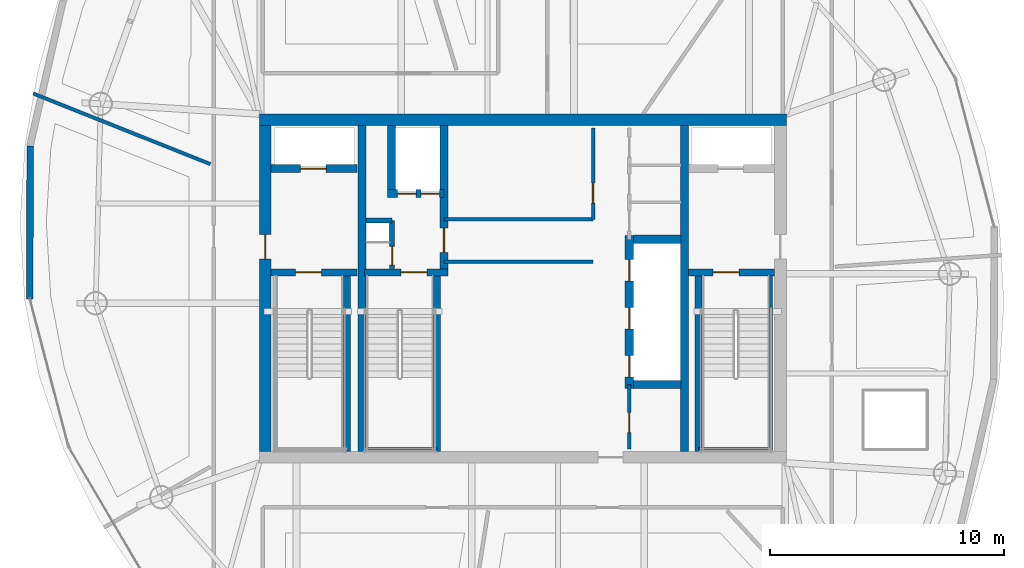
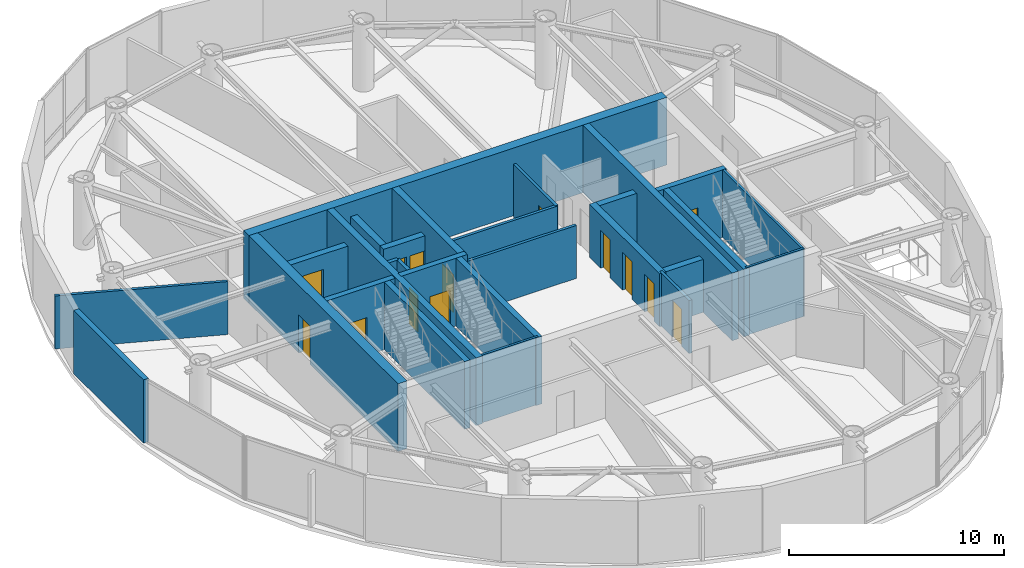
# One storey, part 15 of 20: 28 walls, 14 doors, 14 openings.
"""IFC4 building model written with IfcOpenShell, lengths in metres."""

from ifc_helpers import new_model, si_unit, direction, frame, frame_2d, origin, place, context, subcontext, project, spatial, rectangle, extrude, material, layer, layer_set, type_object, element, fill, save


model = new_model("IFC4")

# Units and contexts
model_context = context("Model", 3, precision=1e-05, world=origin(), true_north=direction((0.0, 1.0)))
body_context = subcontext(model_context, "Body", "Model", "MODEL_VIEW")
ifc_project = project(units=[si_unit("LENGTHUNIT", "METRE"), si_unit("AREAUNIT", "SQUARE_METRE"), si_unit("VOLUMEUNIT", "CUBIC_METRE"), si_unit("PLANEANGLEUNIT", "RADIAN"), si_unit("MASSUNIT", "GRAM", prefix="KILO")], contexts=[model_context])

# Site, building, storey
site_placement = place(None, origin())
site = spatial("IfcSite", under=ifc_project, at=site_placement, CompositionType="ELEMENT")
building_placement = place(site_placement, origin())
building = spatial("IfcBuilding", under=site, at=building_placement, Name="Bramvorn Convention Spire", CompositionType="ELEMENT")
storey_placement = place(building_placement, frame((0.0, 0.0, 303.64990234375)))
storey = spatial("IfcBuildingStorey", under=building, at=storey_placement, Name="L77", CompositionType="ELEMENT", Elevation=303.64990234375)

# Wall
ifc_material_1 = material(Name="Concrete C50/60", Category="concrete")
ifc_layer_1 = layer(ifc_material_1, 0.5)
ifc_layer_set_1 = layer_set([ifc_layer_1], Name="Concrete C50/60 - WL-CORE-500")
wall_type_1 = type_object("IfcWallType", Name="WL-CORE-500", PredefinedType="SHEAR", material=ifc_layer_set_1)
wall_1_placement = place(storey_placement, frame((26.75, 33.199951171875, 0.0), z_axis=(0.0, 0.0, 1.0), x_axis=(1.0, 0.0, 0.0)))
element("IfcWall", 1, at=wall_1_placement, inside=storey, type_object=wall_type_1, Name="L77 North RC core shear wall", PredefinedType="SHEAR", context=body_context, shape_type="SweptSolid", body=[
    extrude(rectangle(XDim=22.5, YDim=0.5, at=frame_2d((11.25, 0.0))), origin(), (0.0, 0.0, 1.0), 3.85009765625),
])

# Wall, opening, door
wall_2_placement = place(storey_placement, frame((27.0, 19.050048828125, 0.0), z_axis=(0.0, 0.0, 1.0), x_axis=(0.0, 1.0, 0.0)))
wall_2 = element("IfcWall", 2, at=wall_2_placement, inside=storey, type_object=wall_type_1, Name="L77 West RC core shear wall", PredefinedType="SHEAR", context=body_context, shape_type="SweptSolid", body=[
    extrude(rectangle(XDim=13.89990234375, YDim=0.5, at=frame_2d((6.949951171875, 0.0))), origin(), (0.0, 0.0, 1.0), 3.85009765625),
])
opening_1_placement = place(wall_2_placement, frame((8.199951171875, 0.0, 0.0)))
opening_1 = element("IfcOpeningElement", 3, at=opening_1_placement, cuts=wall_2, Name="Opening DL-105", PredefinedType="OPENING", context=body_context, shape_type="SweptSolid", body=[
    extrude(rectangle(XDim=1.050048828125, YDim=2.14990234375, at=frame_2d((0.52490234375, 1.074951171875))), frame((0.0, 0.260009765625, 0.0), z_axis=(0.0, -1.0, 0.0), x_axis=(1.0, 0.0, 0.0)), (0.0, 0.0, 1.0), 0.52001953125),
])
ifc_material_2 = material(Name="Smoke-Sealed Fire Lobby Timber-Core Door", Category="wood")
door_type_1 = type_object("IfcDoorType", Name="DR-LOBBY-1050", OperationType="NOTDEFINED", PredefinedType="DOOR", material=ifc_material_2)
door_1_placement = place(opening_1_placement, origin())
door_1 = element("IfcDoor", 4, at=door_1_placement, inside=storey, type_object=door_type_1, Name="L77 West Firefighting Lobby corridor door", OperationType="SINGLE_SWING_RIGHT", OverallHeight=2.14990234375, OverallWidth=1.050048828125, PredefinedType="DOOR", context=body_context, shape_type="SweptSolid", body=[
    extrude(rectangle(XDim=1.050048828125, YDim=2.14990234375, at=frame_2d((0.52490234375, 1.074951171875))), frame((0.0, 0.02490234375, 0.0), z_axis=(0.0, -1.0, 0.0), x_axis=(1.0, 0.0, 0.0)), (0.0, 0.0, 1.0), 0.050048828125),
])
fill(opening_1, door_1)

# Walls
ifc_layer_2 = layer(ifc_material_1, 0.35009765625)
ifc_layer_set_2 = layer_set([ifc_layer_2], Name="Concrete C50/60 - WL-CORE-INT-350")
wall_type_2 = type_object("IfcWallType", Name="WL-CORE-INT-350", PredefinedType="SHEAR", material=ifc_layer_set_2)
for number, where, z_axis, x_axis, name in (
    (5, (31.1298828125, 19.050048828125, 0.0), (0.0, 0.0, 1.0), (0.0, 1.0, 0.0), "L77 West internal core shear web"),
    (6, (44.89990234375, 19.050048828125, 0.0), (0.0, 0.0, 1.0), (0.0, 1.0, 0.0), "L77 East internal core shear web"),
):
    element("IfcWall", number, at=place(storey_placement, frame(where, z_axis=z_axis, x_axis=x_axis)), inside=storey, type_object=wall_type_2, Name=name, PredefinedType="SHEAR", context=body_context, shape_type="SweptSolid", body=[
        extrude(rectangle(XDim=13.89990234375, YDim=0.35009765625, at=frame_2d((6.949951171875, 0.0))), origin(), (0.0, 0.0, 1.0), 3.85009765625),
    ])

# Wall, opening, door
wall_3_placement = place(storey_placement, frame((27.25, 31.1201171875, 0.0), z_axis=(0.0, 0.0, 1.0), x_axis=(1.0, 0.0, 0.0)))
wall_3 = element("IfcWall", 7, at=wall_3_placement, inside=storey, type_object=wall_type_2, Name="L77 FE1 shaft front wall", PredefinedType="SHEAR", context=body_context, shape_type="SweptSolid", body=[
    extrude(rectangle(XDim=3.669921875, YDim=0.35009765625, at=frame_2d((1.8349609375, 0.0))), origin(), (0.0, 0.0, 1.0), 3.01513671875),
])
opening_2_placement = place(wall_3_placement, frame((1.25, 0.0, 0.0)))
opening_2 = element("IfcOpeningElement", 8, at=opening_2_placement, cuts=wall_3, Name="Opening LD-110", PredefinedType="OPENING", context=body_context, shape_type="SweptSolid", body=[
    extrude(rectangle(XDim=1.10009765625, YDim=2.14990234375, at=frame_2d((0.550048828125, 1.074951171875))), frame((0.0, 0.18505859375, 0.0), z_axis=(0.0, -1.0, 0.0), x_axis=(1.0, 0.0, 0.0)), (0.0, 0.0, 1.0), 0.3701171875),
])
ifc_material_3 = material(Name="Firefighting & Service Lift Sliding Landing Door", Category="steel")
door_type_2 = type_object("IfcDoorType", Name="DR-LIFT-LD-1100", OperationType="NOTDEFINED", PredefinedType="DOOR", material=ifc_material_3)
door_2_placement = place(opening_2_placement, origin())
door_2 = element("IfcDoor", 9, at=door_2_placement, inside=storey, type_object=door_type_2, Name="L77 Lift FE1 Sliding Landing Door", OperationType="SLIDING_TO_LEFT", OverallHeight=2.14990234375, OverallWidth=1.10009765625, PredefinedType="DOOR", context=body_context, shape_type="SweptSolid", body=[
    extrude(rectangle(XDim=1.10009765625, YDim=2.14990234375, at=frame_2d((0.550048828125, 1.074951171875))), frame((0.0, 0.02490234375, 0.0), z_axis=(0.0, -1.0, 0.0), x_axis=(1.0, 0.0, 0.0)), (0.0, 0.0, 1.0), 0.050048828125),
])
fill(opening_2, door_2)

wall_4_placement = place(storey_placement, frame((34.639892578125, 26.68994140625, 0.0), z_axis=(0.0, 0.0, 1.0), x_axis=(0.0, 1.0, 0.0)))
wall_4 = element("IfcWall", 10, at=wall_4_placement, inside=storey, type_object=wall_type_2, Name="L77 SV east core shaft wall", PredefinedType="SHEAR", context=body_context, shape_type="SweptSolid", body=[
    extrude(rectangle(XDim=6.260009765625, YDim=0.35009765625, at=frame_2d((3.1298828125, 0.0))), origin(), (0.0, 0.0, 1.0), 3.85009765625),
])
opening_3_placement = place(wall_4_placement, frame((0.85009765625, 0.0, 0.0)))
opening_3 = element("IfcOpeningElement", 11, at=opening_3_placement, cuts=wall_4, Name="Opening DL-105", PredefinedType="OPENING", context=body_context, shape_type="SweptSolid", body=[
    extrude(rectangle(XDim=1.050048828125, YDim=2.14990234375, at=frame_2d((0.52490234375, 1.074951171875))), frame((0.0, 0.18505859375, 0.0), z_axis=(0.0, -1.0, 0.0), x_axis=(1.0, 0.0, 0.0)), (0.0, 0.0, 1.0), 0.3701171875),
])
door_3_placement = place(opening_3_placement, origin())
door_3 = element("IfcDoor", 12, at=door_3_placement, inside=storey, type_object=door_type_1, Name="L77 Core cross-passage door", OperationType="SINGLE_SWING_RIGHT", OverallHeight=2.14990234375, OverallWidth=1.050048828125, PredefinedType="DOOR", context=body_context, shape_type="SweptSolid", body=[
    extrude(rectangle(XDim=1.050048828125, YDim=2.14990234375, at=frame_2d((0.52490234375, 1.074951171875))), frame((0.0, 0.02490234375, 0.0), z_axis=(0.0, -1.0, 0.0), x_axis=(1.0, 0.0, 0.0)), (0.0, 0.0, 1.0), 0.050048828125),
])
fill(opening_3, door_3)

# Wall, openings, doors
wall_5_placement = place(storey_placement, frame((32.22998046875, 30.050048828125, 0.0), z_axis=(0.0, 0.0, 1.0), x_axis=(1.0, 0.0, 0.0)))
wall_5 = element("IfcWall", 13, at=wall_5_placement, inside=storey, type_object=wall_type_2, Name="L77 SV1/SV2 shaft front wall", PredefinedType="SHEAR", context=body_context, shape_type="SweptSolid", body=[
    extrude(rectangle(XDim=2.409912109375, YDim=0.35009765625, at=frame_2d((1.205078125, 0.0))), origin(), (0.0, 0.0, 1.0), 3.01513671875),
])
opening_4_placement = place(wall_5_placement, frame((0.419921875, 0.0, 0.0)))
opening_4 = element("IfcOpeningElement", 14, at=opening_4_placement, cuts=wall_5, Name="Opening LD-080", PredefinedType="OPENING", context=body_context, shape_type="SweptSolid", body=[
    extrude(rectangle(XDim=0.800048828125, YDim=2.14990234375, at=frame_2d((0.39990234375, 1.074951171875))), frame((0.0, 0.18505859375, 0.0), z_axis=(0.0, -1.0, 0.0), x_axis=(1.0, 0.0, 0.0)), (0.0, 0.0, 1.0), 0.3701171875),
])
opening_5_placement = place(wall_5_placement, frame((1.419921875, 0.0, 0.0)))
opening_5 = element("IfcOpeningElement", 15, at=opening_5_placement, cuts=wall_5, Name="Opening LD-080", PredefinedType="OPENING", context=body_context, shape_type="SweptSolid", body=[
    extrude(rectangle(XDim=0.800048828125, YDim=2.14990234375, at=frame_2d((0.39990234375, 1.074951171875))), frame((0.0, 0.18505859375, 0.0), z_axis=(0.0, -1.0, 0.0), x_axis=(1.0, 0.0, 0.0)), (0.0, 0.0, 1.0), 0.3701171875),
])
ifc_material_4 = material(Name="Service Lift Bi-Parting Landing Door", Category="steel")
door_type_3 = type_object("IfcDoorType", Name="DR-LIFT-LD-800", OperationType="NOTDEFINED", PredefinedType="DOOR", material=ifc_material_4)
door_4_placement = place(opening_4_placement, origin())
door_4 = element("IfcDoor", 16, at=door_4_placement, inside=storey, type_object=door_type_3, Name="L77 Lift SV1 Sliding Landing Door", OperationType="SLIDING_TO_LEFT", OverallHeight=2.14990234375, OverallWidth=0.800048828125, PredefinedType="DOOR", context=body_context, shape_type="SweptSolid", body=[
    extrude(rectangle(XDim=0.800048828125, YDim=2.14990234375, at=frame_2d((0.39990234375, 1.074951171875))), frame((0.0, 0.02490234375, 0.0), z_axis=(0.0, -1.0, 0.0), x_axis=(1.0, 0.0, 0.0)), (0.0, 0.0, 1.0), 0.050048828125),
])
fill(opening_4, door_4)
door_5_placement = place(opening_5_placement, origin())
door_5 = element("IfcDoor", 17, at=door_5_placement, inside=storey, type_object=door_type_3, Name="L77 Lift SV2 Sliding Landing Door", OperationType="SLIDING_TO_LEFT", OverallHeight=2.14990234375, OverallWidth=0.800048828125, PredefinedType="DOOR", context=body_context, shape_type="SweptSolid", body=[
    extrude(rectangle(XDim=0.800048828125, YDim=2.14990234375, at=frame_2d((0.39990234375, 1.074951171875))), frame((0.0, 0.02490234375, 0.0), z_axis=(0.0, -1.0, 0.0), x_axis=(1.0, 0.0, 0.0)), (0.0, 0.0, 1.0), 0.050048828125),
])
fill(opening_5, door_5)

# Wall
wall_6_placement = place(storey_placement, frame((32.39990234375, 30.219970703125, 0.0), z_axis=(0.0, 0.0, 1.0), x_axis=(0.0, 1.0, 0.0)))
element("IfcWall", 18, at=wall_6_placement, inside=storey, type_object=wall_type_2, Name="L77 SV1 west hoistway wall", PredefinedType="SHEAR", context=body_context, shape_type="SweptSolid", body=[
    extrude(rectangle(XDim=2.72998046875, YDim=0.35009765625, at=frame_2d((1.364990234375, 0.0))), origin(), (0.0, 0.0, 1.0), 3.01513671875),
])

# Wall, openings, doors
wall_7_placement = place(storey_placement, frame((42.550048828125, 21.72998046875, 0.0), z_axis=(0.0, 0.0, 1.0), x_axis=(0.0, 1.0, 0.0)))
wall_7 = element("IfcWall", 19, at=wall_7_placement, inside=storey, type_object=wall_type_2, Name="L77 High-rise lift bank west wall", PredefinedType="SHEAR", context=body_context, shape_type="SweptSolid", body=[
    extrude(rectangle(XDim=6.5400390625, YDim=0.35009765625, at=frame_2d((3.27001953125, 0.0))), origin(), (0.0, 0.0, 1.0), 3.01513671875),
])
opening_6_placement = place(wall_7_placement, frame((0.5, 0.0, 0.0)))
opening_6 = element("IfcOpeningElement", 20, at=opening_6_placement, cuts=wall_7, Name="Opening LD-090", PredefinedType="OPENING", context=body_context, shape_type="SweptSolid", body=[
    extrude(rectangle(XDim=0.89990234375, YDim=2.14990234375, at=frame_2d((0.449951171875, 1.074951171875))), frame((0.0, 0.18505859375, 0.0), z_axis=(0.0, -1.0, 0.0), x_axis=(1.0, 0.0, 0.0)), (0.0, 0.0, 1.0), 0.3701171875),
])
opening_7_placement = place(wall_7_placement, frame((2.550048828125, 0.0, 0.0)))
opening_7 = element("IfcOpeningElement", 21, at=opening_7_placement, cuts=wall_7, Name="Opening LD-090", PredefinedType="OPENING", context=body_context, shape_type="SweptSolid", body=[
    extrude(rectangle(XDim=0.89990234375, YDim=2.14990234375, at=frame_2d((0.449951171875, 1.074951171875))), frame((0.0, 0.18505859375, 0.0), z_axis=(0.0, -1.0, 0.0), x_axis=(1.0, 0.0, 0.0)), (0.0, 0.0, 1.0), 0.3701171875),
])
opening_8_placement = place(wall_7_placement, frame((4.60009765625, 0.0, 0.0)))
opening_8 = element("IfcOpeningElement", 22, at=opening_8_placement, cuts=wall_7, Name="Opening LD-090", PredefinedType="OPENING", context=body_context, shape_type="SweptSolid", body=[
    extrude(rectangle(XDim=0.89990234375, YDim=2.14990234375, at=frame_2d((0.449951171875, 1.074951171875))), frame((0.0, 0.18505859375, 0.0), z_axis=(0.0, -1.0, 0.0), x_axis=(1.0, 0.0, 0.0)), (0.0, 0.0, 1.0), 0.3701171875),
])
ifc_material_5 = material(Name="Bi-Parting Fire-Rated Lift Landing Door", Category="steel")
door_type_4 = type_object("IfcDoorType", Name="DR-LIFT-LD-900", OperationType="NOTDEFINED", PredefinedType="DOOR", material=ifc_material_5)
door_6_placement = place(opening_6_placement, origin())
door_6 = element("IfcDoor", 23, at=door_6_placement, inside=storey, type_object=door_type_4, Name="L77 Lift PH1 Sliding Landing Door", OperationType="SLIDING_TO_LEFT", OverallHeight=2.14990234375, OverallWidth=0.89990234375, PredefinedType="DOOR", context=body_context, shape_type="SweptSolid", body=[
    extrude(rectangle(XDim=0.89990234375, YDim=2.14990234375, at=frame_2d((0.449951171875, 1.074951171875))), frame((0.0, 0.02490234375, 0.0), z_axis=(0.0, -1.0, 0.0), x_axis=(1.0, 0.0, 0.0)), (0.0, 0.0, 1.0), 0.050048828125),
])
fill(opening_6, door_6)
door_7_placement = place(opening_7_placement, origin())
door_7 = element("IfcDoor", 24, at=door_7_placement, inside=storey, type_object=door_type_4, Name="L77 Lift PH2 Sliding Landing Door", OperationType="SLIDING_TO_LEFT", OverallHeight=2.14990234375, OverallWidth=0.89990234375, PredefinedType="DOOR", context=body_context, shape_type="SweptSolid", body=[
    extrude(rectangle(XDim=0.89990234375, YDim=2.14990234375, at=frame_2d((0.449951171875, 1.074951171875))), frame((0.0, 0.02490234375, 0.0), z_axis=(0.0, -1.0, 0.0), x_axis=(1.0, 0.0, 0.0)), (0.0, 0.0, 1.0), 0.050048828125),
])
fill(opening_7, door_7)
door_8_placement = place(opening_8_placement, origin())
door_8 = element("IfcDoor", 25, at=door_8_placement, inside=storey, type_object=door_type_4, Name="L77 Lift PH3 Sliding Landing Door", OperationType="SLIDING_TO_LEFT", OverallHeight=2.14990234375, OverallWidth=0.89990234375, PredefinedType="DOOR", context=body_context, shape_type="SweptSolid", body=[
    extrude(rectangle(XDim=0.89990234375, YDim=2.14990234375, at=frame_2d((0.449951171875, 1.074951171875))), frame((0.0, 0.02490234375, 0.0), z_axis=(0.0, -1.0, 0.0), x_axis=(1.0, 0.0, 0.0)), (0.0, 0.0, 1.0), 0.050048828125),
])
fill(opening_8, door_8)

# Walls
for number, where, z_axis, x_axis, name in (
    (26, (42.719970703125, 21.89990234375, 0.0), (0.0, 0.0, 1.0), (1.0, 0.0, 0.0), "L77 High-rise lift bank south wall"),
    (27, (42.719970703125, 28.10009765625, 0.0), (0.0, 0.0, 1.0), (1.0, 0.0, 0.0), "L77 High-rise lift bank north wall"),
):
    element("IfcWall", number, at=place(storey_placement, frame(where, z_axis=z_axis, x_axis=x_axis)), inside=storey, type_object=wall_type_2, Name=name, PredefinedType="SHEAR", context=body_context, shape_type="SweptSolid", body=[
        extrude(rectangle(XDim=2.030029296875, YDim=0.35009765625, at=frame_2d((1.01513671875, 0.0))), origin(), (0.0, 0.0, 1.0), 3.01513671875),
    ])
ifc_material_6 = material(Name="Precast Concrete C40/50 with Bronze Terracotta Rainscreen", Category="masonry")
ifc_layer_3 = layer(ifc_material_6, 0.300048828125)
ifc_layer_set_3 = layer_set([ifc_layer_3], Name="Precast Concrete C40/50 with Bronze Terracotta Rainscreen - WL-EXT-BRONZE-300")
wall_type_3 = type_object("IfcWallType", Name="WL-EXT-BRONZE-300", PredefinedType="SOLIDWALL", material=ifc_layer_set_3)
wall_8_placement = place(storey_placement, frame((16.955810546875, 25.5615234375, 0.0), z_axis=(0.0, 0.0, 1.0), x_axis=(0.001010062707, 0.999999489887, 0.0)))
element("IfcWall", 28, at=wall_8_placement, inside=storey, type_object=wall_type_3, Name="L77 expressed bronze Gothic lancet pier wall 17", PredefinedType="SOLIDWALL", context=body_context, shape_type="SweptSolid", body=[
    extrude(rectangle(XDim=6.526123046875, YDim=0.280029296875, at=frame_2d((3.26318359375, 0.0))), origin(), (0.0, 0.0, 1.0), 3.60009765625),
])
ifc_material_7 = material(Name="Acoustic Metal-Stud Tenant/Corridor Partition", Category="gypsum")
ifc_layer_4 = layer(ifc_material_7, 0.14990234375)
ifc_layer_set_4 = layer_set([ifc_layer_4], Name="Acoustic Metal-Stud Tenant/Corridor Partition - WL-PART-150")
wall_type_4 = type_object("IfcWallType", Name="WL-PART-150", PredefinedType="PARTITIONING", material=ifc_layer_set_4)
for number, where, z_axis, x_axis, name in (
    (29, (34.639892578125, 27.14990234375, 0.0), (0.0, 0.0, 1.0), (1.0, 0.0, 0.0), "L77 Cross-core passage south wall"),
    (30, (34.639892578125, 28.949951171875, 0.0), (0.0, 0.0, 1.0), (1.0, 0.0, 0.0), "L77 Cross-core passage north wall"),
):
    element("IfcWall", number, at=place(storey_placement, frame(where, z_axis=z_axis, x_axis=x_axis)), inside=storey, type_object=wall_type_4, Name=name, PredefinedType="PARTITIONING", context=body_context, shape_type="SweptSolid", body=[
        extrude(rectangle(XDim=6.360107421875, YDim=0.14990234375, at=frame_2d((3.18017578125, 0.0))), origin(), (0.0, 0.0, 1.0), 3.01513671875),
    ])

# Wall, opening, door
wall_9_placement = place(storey_placement, frame((41.0, 28.949951171875, 0.0), z_axis=(0.0, 0.0, 1.0), x_axis=(0.0, 1.0, 0.0)))
wall_9 = element("IfcWall", 31, at=wall_9_placement, inside=storey, type_object=wall_type_4, Name="L77 Freed north shaft room wall", PredefinedType="PARTITIONING", context=body_context, shape_type="SweptSolid", body=[
    extrude(rectangle(XDim=3.900146484375, YDim=0.14990234375, at=frame_2d((1.9501953125, 0.0))), origin(), (0.0, 0.0, 1.0), 3.01513671875),
])
opening_9_placement = place(wall_9_placement, frame((0.699951171875, 0.0, 0.0)))
opening_9 = element("IfcOpeningElement", 32, at=opening_9_placement, cuts=wall_9, Name="Opening DC-085", PredefinedType="OPENING", context=body_context, shape_type="SweptSolid", body=[
    extrude(rectangle(XDim=0.85009765625, YDim=2.10009765625, at=frame_2d((0.425048828125, 1.050048828125))), frame((0.0, 0.0849609375, 0.0), z_axis=(0.0, -1.0, 0.0), x_axis=(1.0, 0.0, 0.0)), (0.0, 0.0, 1.0), 0.169921875),
])
ifc_material_8 = material(Name="Fire-Rated Core Washroom & IDF Door", Category="wood")
door_type_5 = type_object("IfcDoorType", Name="DR-CORE-850", OperationType="NOTDEFINED", PredefinedType="DOOR", material=ifc_material_8)
door_9_placement = place(opening_9_placement, origin())
door_9 = element("IfcDoor", 33, at=door_9_placement, inside=storey, type_object=door_type_5, Name="L77 North core archive door", OperationType="SINGLE_SWING_LEFT", OverallHeight=2.10009765625, OverallWidth=0.85009765625, PredefinedType="DOOR", context=body_context, shape_type="SweptSolid", body=[
    extrude(rectangle(XDim=0.85009765625, YDim=2.10009765625, at=frame_2d((0.425048828125, 1.050048828125))), frame((0.0, 0.02490234375, 0.0), z_axis=(0.0, -1.0, 0.0), x_axis=(1.0, 0.0, 0.0)), (0.0, 0.0, 1.0), 0.050048828125),
])
fill(opening_9, door_9)

wall_10_placement = place(storey_placement, frame((42.550048828125, 19.14990234375, 0.0), z_axis=(0.0, 0.0, 1.0), x_axis=(0.0, 1.0, 0.0)))
wall_10 = element("IfcWall", 34, at=wall_10_placement, inside=storey, type_object=wall_type_4, Name="L77 KC SE wall", PredefinedType="PARTITIONING", context=body_context, shape_type="SweptSolid", body=[
    extrude(rectangle(XDim=2.75, YDim=0.14990234375, at=frame_2d((1.375, 0.0))), origin(), (0.0, 0.0, 1.0), 3.01513671875),
])
opening_10_placement = place(wall_10_placement, frame((0.699951171875, 0.0, 0.0)))
opening_10 = element("IfcOpeningElement", 35, at=opening_10_placement, cuts=wall_10, Name="Opening DC-085", PredefinedType="OPENING", context=body_context, shape_type="SweptSolid", body=[
    extrude(rectangle(XDim=0.85009765625, YDim=2.10009765625, at=frame_2d((0.425048828125, 1.050048828125))), frame((0.0, 0.0849609375, 0.0), z_axis=(0.0, -1.0, 0.0), x_axis=(1.0, 0.0, 0.0)), (0.0, 0.0, 1.0), 0.169921875),
])
door_10_placement = place(opening_10_placement, origin())
door_10 = element("IfcDoor", 36, at=door_10_placement, inside=storey, type_object=door_type_5, Name="L77 Core Valve & Riser Room door", OperationType="SINGLE_SWING_LEFT", OverallHeight=2.10009765625, OverallWidth=0.85009765625, PredefinedType="DOOR", context=body_context, shape_type="SweptSolid", body=[
    extrude(rectangle(XDim=0.85009765625, YDim=2.10009765625, at=frame_2d((0.425048828125, 1.050048828125))), frame((0.0, 0.02490234375, 0.0), z_axis=(0.0, -1.0, 0.0), x_axis=(1.0, 0.0, 0.0)), (0.0, 0.0, 1.0), 0.050048828125),
])
fill(opening_10, door_10)

# Wall
wall_11_placement = place(storey_placement, frame((24.659912109375, 31.3125, 0.0), z_axis=(0.0, 0.0, 1.0), x_axis=(-0.929037966292, 0.369984401277, 0.0)))
element("IfcWall", 37, at=wall_11_placement, inside=storey, type_object=wall_type_4, Name="L77 Tenant suite partition 4", PredefinedType="PARTITIONING", context=body_context, shape_type="SweptSolid", body=[
    extrude(rectangle(XDim=8.14404296875, YDim=0.14990234375, at=frame_2d((4.072021484375, 0.0))), origin(), (0.0, 0.0, 1.0), 3.01513671875),
])

# Wall, opening, door
ifc_material_9 = material(Name="Gypsum Shaftwall & Rockwool Core Partition", Category="gypsum")
ifc_layer_5 = layer(ifc_material_9, 0.199951171875)
ifc_layer_set_5 = layer_set([ifc_layer_5], Name="Gypsum Shaftwall & Rockwool Core Partition - WL-PART-200-FR")
wall_type_5 = type_object("IfcWallType", Name="WL-PART-200-FR", PredefinedType="PARTITIONING", material=ifc_layer_set_5)
wall_12_placement = place(storey_placement, frame((32.419921875, 26.860107421875, 0.0), z_axis=(0.0, 0.0, 1.0), x_axis=(0.0, 1.0, 0.0)))
wall_12 = element("IfcWall", 38, at=wall_12_placement, inside=storey, type_object=wall_type_5, Name="L77 Telecom riser east wall", PredefinedType="PARTITIONING", context=body_context, shape_type="SweptSolid", body=[
    extrude(rectangle(XDim=2.039794921875, YDim=0.199951171875, at=frame_2d((1.02001953125, 0.0))), origin(), (0.0, 0.0, 1.0), 3.01513671875),
])
opening_11_placement = place(wall_12_placement, frame((0.139892578125, 0.0, 0.0)))
opening_11 = element("IfcOpeningElement", 39, at=opening_11_placement, cuts=wall_12, Name="Opening DR-080", PredefinedType="OPENING", context=body_context, shape_type="SweptSolid", body=[
    extrude(rectangle(XDim=0.800048828125, YDim=2.050048828125, at=frame_2d((0.39990234375, 1.02490234375))), frame((0.0, 0.10986328125, 0.0), z_axis=(0.0, -1.0, 0.0), x_axis=(1.0, 0.0, 0.0)), (0.0, 0.0, 1.0), 0.219970703125),
])
ifc_material_10 = material(Name="Flush Steel Riser Access Door", Category="steel")
door_type_6 = type_object("IfcDoorType", Name="DR-RISER-800", OperationType="NOTDEFINED", PredefinedType="DOOR", material=ifc_material_10)
door_11_placement = place(opening_11_placement, origin())
door_11 = element("IfcDoor", 40, at=door_11_placement, inside=storey, type_object=door_type_6, Name="L77 Telecom riser access door", OperationType="SINGLE_SWING_RIGHT", OverallHeight=2.050048828125, OverallWidth=0.800048828125, PredefinedType="DOOR", context=body_context, shape_type="SweptSolid", body=[
    extrude(rectangle(XDim=0.800048828125, YDim=2.050048828125, at=frame_2d((0.39990234375, 1.02490234375))), frame((0.0, 0.02490234375, 0.0), z_axis=(0.0, -1.0, 0.0), x_axis=(1.0, 0.0, 0.0)), (0.0, 0.0, 1.0), 0.050048828125),
])
fill(opening_11, door_11)

# Wall
wall_13_placement = place(storey_placement, frame((31.300048828125, 28.89990234375, 0.0), z_axis=(0.0, 0.0, 1.0), x_axis=(1.0, 0.0, 0.0)))
element("IfcWall", 41, at=wall_13_placement, inside=storey, type_object=wall_type_5, Name="L77 Telecom riser north wall", PredefinedType="PARTITIONING", context=body_context, shape_type="SweptSolid", body=[
    extrude(rectangle(XDim=1.119873046875, YDim=0.199951171875, at=frame_2d((0.56005859375, 0.0))), origin(), (0.0, 0.0, 1.0), 3.01513671875),
])

# Wall, opening, door
ifc_layer_6 = layer(ifc_material_1, 0.300048828125)
ifc_layer_set_6 = layer_set([ifc_layer_6], Name="Concrete C50/60 - WL-POD-STAIR-300")
wall_type_6 = type_object("IfcWallType", Name="WL-POD-STAIR-300", PredefinedType="SHEAR", material=ifc_layer_set_6)
wall_14_placement = place(storey_placement, frame((27.25, 26.68994140625, 0.0), z_axis=(0.0, 0.0, 1.0), x_axis=(1.0, 0.0, 0.0)))
wall_14 = element("IfcWall", 42, at=wall_14_placement, inside=storey, type_object=wall_type_6, Name="L77 ST1 north fire wall", PredefinedType="SHEAR", context=body_context, shape_type="SweptSolid", body=[
    extrude(rectangle(XDim=3.669921875, YDim=0.300048828125, at=frame_2d((1.8349609375, 0.0))), origin(), (0.0, 0.0, 1.0), 3.85009765625),
])
opening_12_placement = place(wall_14_placement, frame((1.050048828125, 0.0, 0.0)))
opening_12 = element("IfcOpeningElement", 43, at=opening_12_placement, cuts=wall_14, Name="Opening DS-110", PredefinedType="OPENING", context=body_context, shape_type="SweptSolid", body=[
    extrude(rectangle(XDim=1.10009765625, YDim=2.14990234375, at=frame_2d((0.550048828125, 1.074951171875))), frame((0.0, 0.159912109375, 0.0), z_axis=(0.0, -1.0, 0.0), x_axis=(1.0, 0.0, 0.0)), (0.0, 0.0, 1.0), 0.320068359375),
])
ifc_material_11 = material(Name="Fire-Rated Hollow Steel Stairwell Door", Category="steel")
door_type_7 = type_object("IfcDoorType", Name="DR-STAIR-1100", OperationType="NOTDEFINED", PredefinedType="DOOR", material=ifc_material_11)
door_12_placement = place(opening_12_placement, origin())
door_12 = element("IfcDoor", 44, at=door_12_placement, inside=storey, type_object=door_type_7, Name="L77 Stair ST1 fire door", OperationType="SINGLE_SWING_LEFT", OverallHeight=2.14990234375, OverallWidth=1.10009765625, PredefinedType="DOOR", context=body_context, shape_type="SweptSolid", body=[
    extrude(rectangle(XDim=1.10009765625, YDim=2.14990234375, at=frame_2d((0.550048828125, 1.074951171875))), frame((0.0, 0.02490234375, 0.0), z_axis=(0.0, -1.0, 0.0), x_axis=(1.0, 0.0, 0.0)), (0.0, 0.0, 1.0), 0.050048828125),
])
fill(opening_12, door_12)

# Wall
wall_15_placement = place(storey_placement, frame((30.489990234375, 19.050048828125, 0.0), z_axis=(0.0, 0.0, 1.0), x_axis=(0.0, 1.0, 0.0)))
element("IfcWall", 45, at=wall_15_placement, inside=storey, type_object=wall_type_6, Name="L77 ST1 east bearing wall", PredefinedType="SHEAR", context=body_context, shape_type="SweptSolid", body=[
    extrude(rectangle(XDim=7.5, YDim=0.300048828125, at=frame_2d((3.75, 0.0))), origin(), (0.0, 0.0, 1.0), 3.85009765625),
])

# Wall, opening, door
wall_16_placement = place(storey_placement, frame((45.080078125, 26.68994140625, 0.0), z_axis=(0.0, 0.0, 1.0), x_axis=(1.0, 0.0, 0.0)))
wall_16 = element("IfcWall", 46, at=wall_16_placement, inside=storey, type_object=wall_type_6, Name="L77 ST2 north fire wall", PredefinedType="SHEAR", context=body_context, shape_type="SweptSolid", body=[
    extrude(rectangle(XDim=3.669921875, YDim=0.300048828125, at=frame_2d((1.8349609375, 0.0))), origin(), (0.0, 0.0, 1.0), 3.85009765625),
])
opening_13_placement = place(wall_16_placement, frame((1.050048828125, 0.0, 0.0)))
opening_13 = element("IfcOpeningElement", 47, at=opening_13_placement, cuts=wall_16, Name="Opening DS-110", PredefinedType="OPENING", context=body_context, shape_type="SweptSolid", body=[
    extrude(rectangle(XDim=1.10009765625, YDim=2.14990234375, at=frame_2d((0.550048828125, 1.074951171875))), frame((0.0, 0.159912109375, 0.0), z_axis=(0.0, -1.0, 0.0), x_axis=(1.0, 0.0, 0.0)), (0.0, 0.0, 1.0), 0.320068359375),
])
door_13_placement = place(opening_13_placement, origin())
door_13 = element("IfcDoor", 48, at=door_13_placement, inside=storey, type_object=door_type_7, Name="L77 Stair ST2 fire door", OperationType="SINGLE_SWING_RIGHT", OverallHeight=2.14990234375, OverallWidth=1.10009765625, PredefinedType="DOOR", context=body_context, shape_type="SweptSolid", body=[
    extrude(rectangle(XDim=1.10009765625, YDim=2.14990234375, at=frame_2d((0.550048828125, 1.074951171875))), frame((0.0, 0.02490234375, 0.0), z_axis=(0.0, -1.0, 0.0), x_axis=(1.0, 0.0, 0.0)), (0.0, 0.0, 1.0), 0.050048828125),
])
fill(opening_13, door_13)

# Walls
for number, where, z_axis, x_axis, name in (
    (49, (45.510009765625, 19.050048828125, 0.0), (0.0, 0.0, 1.0), (0.0, 1.0, 0.0), "L77 ST2 west bearing wall"),
    (50, (34.340087890625, 19.050048828125, 0.0), (0.0, 0.0, 1.0), (0.0, 1.0, 0.0), "L77 ST3 east bearing wall"),
):
    element("IfcWall", number, at=place(storey_placement, frame(where, z_axis=z_axis, x_axis=x_axis)), inside=storey, type_object=wall_type_6, Name=name, PredefinedType="SHEAR", context=body_context, shape_type="SweptSolid", body=[
        extrude(rectangle(XDim=7.5, YDim=0.300048828125, at=frame_2d((3.75, 0.0))), origin(), (0.0, 0.0, 1.0), 3.85009765625),
    ])

# Wall, opening, door
wall_17_placement = place(storey_placement, frame((31.25, 26.68994140625, 0.0), z_axis=(0.0, 0.0, 1.0), x_axis=(1.0, 0.0, 0.0)))
wall_17 = element("IfcWall", 51, at=wall_17_placement, inside=storey, type_object=wall_type_6, Name="L77 ST3 north lobby wall", PredefinedType="SHEAR", context=body_context, shape_type="SweptSolid", body=[
    extrude(rectangle(XDim=3.56005859375, YDim=0.300048828125, at=frame_2d((1.780029296875, 0.0))), origin(), (0.0, 0.0, 1.0), 3.85009765625),
])
opening_14_placement = place(wall_17_placement, frame((1.550048828125, 0.0, 0.0)))
opening_14 = element("IfcOpeningElement", 52, at=opening_14_placement, cuts=wall_17, Name="Opening DS-110", PredefinedType="OPENING", context=body_context, shape_type="SweptSolid", body=[
    extrude(rectangle(XDim=1.10009765625, YDim=2.14990234375, at=frame_2d((0.550048828125, 1.074951171875))), frame((0.0, 0.159912109375, 0.0), z_axis=(0.0, -1.0, 0.0), x_axis=(1.0, 0.0, 0.0)), (0.0, 0.0, 1.0), 0.320068359375),
])
door_14_placement = place(opening_14_placement, origin())
door_14 = element("IfcDoor", 53, at=door_14_placement, inside=storey, type_object=door_type_7, Name="L77 Stair ST3 fire door", OperationType="SINGLE_SWING_LEFT", OverallHeight=2.14990234375, OverallWidth=1.10009765625, PredefinedType="DOOR", context=body_context, shape_type="SweptSolid", body=[
    extrude(rectangle(XDim=1.10009765625, YDim=2.14990234375, at=frame_2d((0.550048828125, 1.074951171875))), frame((0.0, 0.02490234375, 0.0), z_axis=(0.0, -1.0, 0.0), x_axis=(1.0, 0.0, 0.0)), (0.0, 0.0, 1.0), 0.050048828125),
])
fill(opening_14, door_14)

# Walls
ifc_layer_7 = layer(ifc_material_1, 0.1201171875)
ifc_layer_set_7 = layer_set([ifc_layer_7], Name="Concrete C50/60 - WL-STAIR-RC-120")
wall_type_7 = type_object("IfcWallType", Name="WL-STAIR-RC-120", PredefinedType="SHEAR", material=ifc_layer_set_7)
wall_18_placement = place(storey_placement, frame((48.60498046875, 19.10009765625, 0.0), z_axis=(0.0, 0.0, 1.0), x_axis=(0.0, 1.0, 0.0)))
element("IfcWall", 54, at=wall_18_placement, inside=storey, type_object=wall_type_7, Name="L77 ST2 east bearing shear wall", PredefinedType="SHEAR", context=body_context, shape_type="SweptSolid", body=[
    extrude(rectangle(XDim=7.449951171875, YDim=0.1201171875, at=frame_2d((3.72509765625, 0.0))), origin(), (0.0, 0.0, 1.0), 3.85009765625),
])
wall_19_placement = place(storey_placement, frame((45.510009765625, 19.159912109375, 0.0), z_axis=(0.0, 0.0, 1.0), x_axis=(1.0, 0.0, 0.0)))
element("IfcWall", 55, at=wall_19_placement, inside=storey, type_object=wall_type_7, Name="L77 ST2 south bearing shear wall", PredefinedType="SHEAR", context=body_context, shape_type="SweptSolid", body=[
    extrude(rectangle(XDim=3.094970703125, YDim=0.1201171875, at=frame_2d((1.54736328125, 0.0))), origin(), (0.0, 0.0, 1.0), 3.85009765625),
])
wall_20_placement = place(storey_placement, frame((31.300048828125, 19.159912109375, 0.0), z_axis=(0.0, 0.0, 1.0), x_axis=(1.0, 0.0, 0.0)))
element("IfcWall", 56, at=wall_20_placement, inside=storey, type_object=wall_type_7, Name="L77 ST3 south bearing shear wall", PredefinedType="SHEAR", context=body_context, shape_type="SweptSolid", body=[
    extrude(rectangle(XDim=3.0400390625, YDim=0.1201171875, at=frame_2d((1.52001953125, 0.0))), origin(), (0.0, 0.0, 1.0), 3.85009765625),
])

save(model, "model.ifc")
